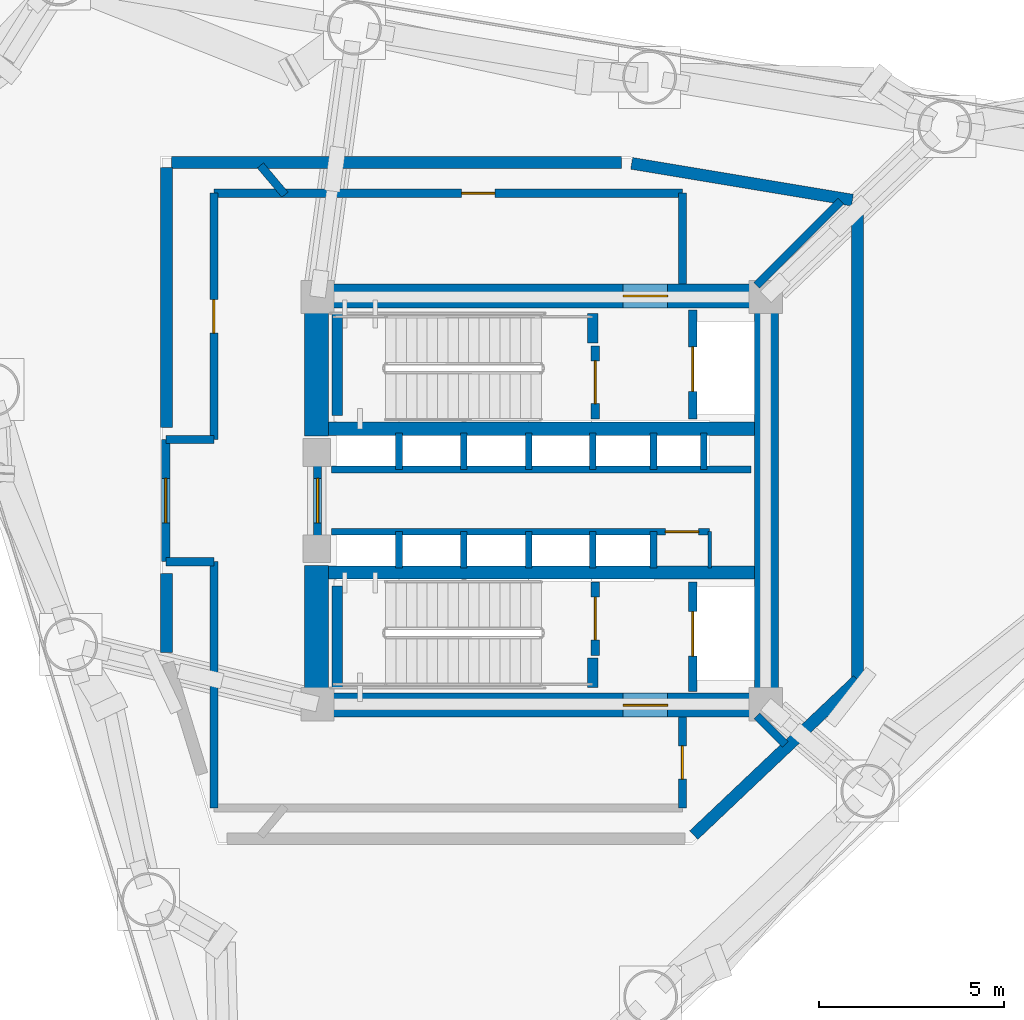
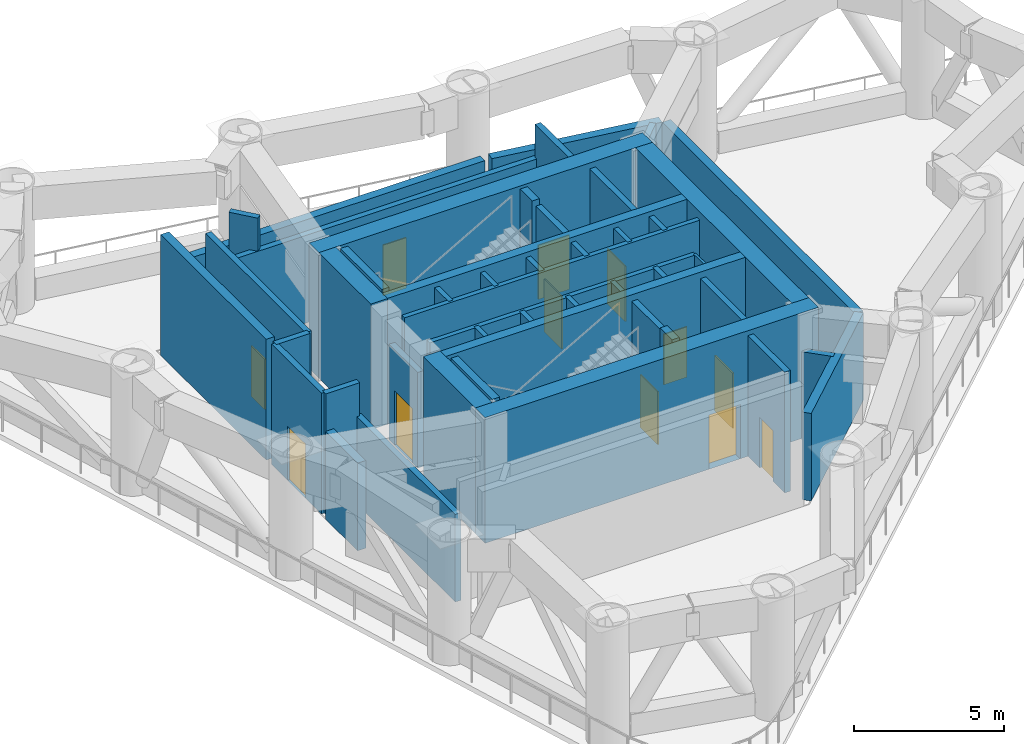
# One storey, part 4 of 8: 47 walls, 12 doors, 12 openings.
"""IFC4 building model written with IfcOpenShell, lengths in metres."""

from ifc_helpers import new_model, si_unit, direction, frame, frame_2d, origin, place, context, subcontext, project, spatial, rectangle, extrude, material, layer, layer_set, type_object, element, fill, save


model = new_model("IFC4")

# Units and contexts
model_context = context("Model", 3, precision=1e-05, world=origin(), true_north=direction((0.0, 1.0)))
body_context = subcontext(model_context, "Body", "Model", "MODEL_VIEW")
ifc_project = project(units=[si_unit("LENGTHUNIT", "METRE"), si_unit("AREAUNIT", "SQUARE_METRE"), si_unit("VOLUMEUNIT", "CUBIC_METRE"), si_unit("PLANEANGLEUNIT", "RADIAN"), si_unit("MASSUNIT", "GRAM", prefix="KILO")], contexts=[model_context])

# Site, building, storey
site_placement = place(None, origin())
site = spatial("IfcSite", under=ifc_project, at=site_placement, CompositionType="ELEMENT")
building_placement = place(site_placement, origin())
building = spatial("IfcBuilding", under=site, at=building_placement, Name="Yunling Apex Tower", CompositionType="ELEMENT")
storey_placement = place(building_placement, frame((0.0, 0.0, 119.89990234375)))
storey = spatial("IfcBuildingStorey", under=building, at=storey_placement, Name="RF3", CompositionType="ELEMENT", Elevation=119.89990234375)

# Wall, opening, door
ifc_material_1 = material(Name="Concrete C50", Category="concrete")
ifc_layer_1 = layer(ifc_material_1, 0.64990234375)
ifc_layer_set_1 = layer_set([ifc_layer_1], Name="Concrete C50")
wall_type_1 = type_object("IfcWallType", Name="WL-COR-2", PredefinedType="SHEAR", material=ifc_layer_set_1)
wall_1_placement = place(storey_placement, frame((-6.39990234375, 5.52490234375, 0.0), z_axis=(0.0, 0.0, 1.0), x_axis=(1.0, 0.0, 0.0)))
wall_1 = element("IfcWall", 1, at=wall_1_placement, inside=storey, type_object=wall_type_1, Name="RF3 North Core Shear Wall", PredefinedType="SHEAR", context=body_context, shape_type="SweptSolid", body=[
    extrude(rectangle(XDim=12.7998046875, YDim=0.64990234375, at=frame_2d((6.39990234375, 0.0))), origin(), (0.0, 0.0, 1.0), 5.10009765625),
])
opening_1_placement = place(wall_1_placement, frame((8.60009765625, 0.0, 0.0)))
opening_1 = element("IfcOpeningElement", 2, at=opening_1_placement, cuts=wall_1, Name="Opening DR-FFL-1", PredefinedType="OPENING", context=body_context, shape_type="SweptSolid", body=[
    extrude(rectangle(XDim=1.199951171875, YDim=2.199951171875, at=frame_2d((0.60009765625, 1.10009765625))), frame((0.0, 0.3349609375, 0.0), z_axis=(0.0, -1.0, 0.0), x_axis=(1.0, 0.0, 0.0)), (0.0, 0.0, 1.0), 0.669921875),
])
ifc_material_2 = material(Name="Steel Q355B", Category="steel")
door_type_1 = type_object("IfcDoorType", Name="DR-FFL-1", OperationType="NOTDEFINED", PredefinedType="DOOR", material=ifc_material_2)
door_1_placement = place(opening_1_placement, origin())
door_1 = element("IfcDoor", 3, at=door_1_placement, inside=storey, type_object=door_type_1, Name="RF3 North Firefighting Lobby Door", OperationType="SINGLE_SWING_LEFT", OverallHeight=2.199951171875, OverallWidth=1.199951171875, PredefinedType="DOOR", context=body_context, shape_type="SweptSolid", body=[
    extrude(rectangle(XDim=1.199951171875, YDim=2.199951171875, at=frame_2d((0.60009765625, 1.10009765625))), frame((0.0, 0.02490234375, 0.0), z_axis=(0.0, -1.0, 0.0), x_axis=(1.0, 0.0, 0.0)), (0.0, 0.0, 1.0), 0.050048828125),
])
fill(opening_1, door_1)

wall_2_placement = place(storey_placement, frame((-6.39990234375, -5.52490234375, 0.0), z_axis=(0.0, 0.0, 1.0), x_axis=(1.0, 0.0, 0.0)))
wall_2 = element("IfcWall", 4, at=wall_2_placement, inside=storey, type_object=wall_type_1, Name="RF3 South Core Shear Wall", PredefinedType="SHEAR", context=body_context, shape_type="SweptSolid", body=[
    extrude(rectangle(XDim=12.7998046875, YDim=0.64990234375, at=frame_2d((6.39990234375, 0.0))), origin(), (0.0, 0.0, 1.0), 5.10009765625),
])
opening_2_placement = place(wall_2_placement, frame((8.60009765625, 0.0, 0.0)))
opening_2 = element("IfcOpeningElement", 5, at=opening_2_placement, cuts=wall_2, Name="Opening DR-FFL-1", PredefinedType="OPENING", context=body_context, shape_type="SweptSolid", body=[
    extrude(rectangle(XDim=1.199951171875, YDim=2.199951171875, at=frame_2d((0.60009765625, 1.10009765625))), frame((0.0, 0.3349609375, 0.0), z_axis=(0.0, -1.0, 0.0), x_axis=(1.0, 0.0, 0.0)), (0.0, 0.0, 1.0), 0.669921875),
])
door_2_placement = place(opening_2_placement, origin())
door_2 = element("IfcDoor", 6, at=door_2_placement, inside=storey, type_object=door_type_1, Name="RF3 South Firefighting Lobby Door", OperationType="SINGLE_SWING_RIGHT", OverallHeight=2.199951171875, OverallWidth=1.199951171875, PredefinedType="DOOR", context=body_context, shape_type="SweptSolid", body=[
    extrude(rectangle(XDim=1.199951171875, YDim=2.199951171875, at=frame_2d((0.60009765625, 1.10009765625))), frame((0.0, 0.02490234375, 0.0), z_axis=(0.0, -1.0, 0.0), x_axis=(1.0, 0.0, 0.0)), (0.0, 0.0, 1.0), 0.050048828125),
])
fill(opening_2, door_2)

# Walls
wall_3_placement = place(storey_placement, frame((6.074951171875, -5.199951171875, 0.0), z_axis=(0.0, 0.0, 1.0), x_axis=(0.0, 1.0, 0.0)))
element("IfcWall", 7, at=wall_3_placement, inside=storey, type_object=wall_type_1, Name="RF3 East Core Shear Wall", PredefinedType="SHEAR", context=body_context, shape_type="SweptSolid", body=[
    extrude(rectangle(XDim=10.39990234375, YDim=0.64990234375, at=frame_2d((5.199951171875, 0.0))), origin(), (0.0, 0.0, 1.0), 5.10009765625),
])
for number, where, z_axis, x_axis, name in (
    (8, (-6.074951171875, -5.199951171875, 0.0), (0.0, 0.0, 1.0), (0.0, 1.0, 0.0), "RF3 West-South Core Shear Wall"),
    (9, (-6.074951171875, 1.75, 0.0), (0.0, 0.0, 1.0), (0.0, 1.0, 0.0), "RF3 West-North Core Shear Wall"),
):
    element("IfcWall", number, at=place(storey_placement, frame(where, z_axis=z_axis, x_axis=x_axis)), inside=storey, type_object=wall_type_1, Name=name, PredefinedType="SHEAR", context=body_context, shape_type="SweptSolid", body=[
        extrude(rectangle(XDim=3.449951171875, YDim=0.64990234375, at=frame_2d((1.72509765625, 0.0))), origin(), (0.0, 0.0, 1.0), 5.10009765625),
    ])
ifc_material_3 = material(Name="Concrete C40", Category="concrete")
ifc_layer_2 = layer(ifc_material_3, 0.360107421875)
ifc_layer_set_2 = layer_set([ifc_layer_2], Name="Concrete C40")
wall_type_2 = type_object("IfcWallType", Name="WL-COR-4", PredefinedType="SHEAR", material=ifc_layer_set_2)
for number, where, z_axis, x_axis, name in (
    (10, (-5.75, 1.93994140625, 0.0), (0.0, 0.0, 1.0), (1.0, 0.0, 0.0), "RF3 North Internal Core Shear Wall"),
    (11, (-5.75, -1.93994140625, 0.0), (0.0, 0.0, 1.0), (1.0, 0.0, 0.0), "RF3 South Internal Core Shear Wall"),
):
    element("IfcWall", number, at=place(storey_placement, frame(where, z_axis=z_axis, x_axis=x_axis)), inside=storey, type_object=wall_type_2, Name=name, PredefinedType="SHEAR", context=body_context, shape_type="SweptSolid", body=[
        extrude(rectangle(XDim=11.5, YDim=0.360107421875, at=frame_2d((5.75, 0.0))), origin(), (0.0, 0.0, 1.0), 5.10009765625),
    ])
ifc_layer_3 = layer(ifc_material_3, 0.280029296875)
ifc_layer_set_3 = layer_set([ifc_layer_3], Name="Concrete C40")
wall_type_3 = type_object("IfcWallType", Name="WL-COR-8", PredefinedType="SHEAR", material=ifc_layer_set_3)
wall_4_placement = place(storey_placement, frame((-5.52001953125, 2.300048828125, 0.0), z_axis=(0.0, 0.0, 1.0), x_axis=(0.0, 1.0, 0.0)))
element("IfcWall", 12, at=wall_4_placement, inside=storey, type_object=wall_type_3, Name="RF3 ST-1 West Landing Bearing Wall", PredefinedType="SHEAR", context=body_context, shape_type="SweptSolid", body=[
    extrude(rectangle(XDim=2.75, YDim=0.280029296875, at=frame_2d((1.375, 0.0))), origin(), (0.0, 0.0, 1.0), 5.10009765625),
])
wall_5_placement = place(storey_placement, frame((1.3798828125, 4.25, 0.0), z_axis=(0.0, 0.0, 1.0), x_axis=(0.0, 1.0, 0.0)))
element("IfcWall", 13, at=wall_5_placement, inside=storey, type_object=wall_type_3, Name="RF3 ST-1 East Landing Bearing Pier", PredefinedType="SHEAR", context=body_context, shape_type="SweptSolid", body=[
    extrude(rectangle(XDim=0.800048828125, YDim=0.280029296875, at=frame_2d((0.39990234375, 0.0))), origin(), (0.0, 0.0, 1.0), 5.10009765625),
])
wall_6_placement = place(storey_placement, frame((-5.52001953125, -5.050048828125, 0.0), z_axis=(0.0, 0.0, 1.0), x_axis=(0.0, 1.0, 0.0)))
element("IfcWall", 14, at=wall_6_placement, inside=storey, type_object=wall_type_3, Name="RF3 ST-2 West Landing Bearing Wall", PredefinedType="SHEAR", context=body_context, shape_type="SweptSolid", body=[
    extrude(rectangle(XDim=2.75, YDim=0.280029296875, at=frame_2d((1.375, 0.0))), origin(), (0.0, 0.0, 1.0), 5.10009765625),
])
wall_7_placement = place(storey_placement, frame((1.3798828125, -5.050048828125, 0.0), z_axis=(0.0, 0.0, 1.0), x_axis=(0.0, 1.0, 0.0)))
element("IfcWall", 15, at=wall_7_placement, inside=storey, type_object=wall_type_3, Name="RF3 ST-2 East Landing Bearing Pier", PredefinedType="SHEAR", context=body_context, shape_type="SweptSolid", body=[
    extrude(rectangle(XDim=0.800048828125, YDim=0.280029296875, at=frame_2d((0.39990234375, 0.0))), origin(), (0.0, 0.0, 1.0), 5.10009765625),
])
ifc_material_4 = material(Name="Precast concrete C40", Category="concrete")
ifc_layer_4 = layer(ifc_material_4, 0.320068359375)
ifc_layer_set_4 = layer_set([ifc_layer_4], Name="Precast concrete C40")
wall_type_4 = type_object("IfcWallType", Name="WL-EXT-1", PredefinedType="SOLIDWALL", material=ifc_layer_set_4)
wall_8_placement = place(storey_placement, frame((8.530029296875, -4.84326171875, 0.0), z_axis=(0.0, 0.0, 1.0), x_axis=(-0.725866328242, -0.687835789651, 0.0)))
element("IfcWall", 16, at=wall_8_placement, inside=storey, type_object=wall_type_4, Name="WL-RF3-IR-01", PredefinedType="SOLIDWALL", context=body_context, shape_type="SweptSolid", body=[
    extrude(rectangle(XDim=6.09228515625, YDim=0.320068359375, at=frame_2d((3.046142578125, 0.0))), origin(), (0.0, 0.0, 1.0), 3.55517578125),
])
wall_9_placement = place(storey_placement, frame((-10.1298828125, -4.1044921875, 0.0), z_axis=(0.0, 0.0, 1.0), x_axis=(0.0, 1.0, 0.0)))
element("IfcWall", 17, at=wall_9_placement, inside=storey, type_object=wall_type_4, Name="WL-RF3-IR-04", PredefinedType="SOLIDWALL", context=body_context, shape_type="SweptSolid", body=[
    extrude(rectangle(XDim=2.134521484375, YDim=0.320068359375, at=frame_2d((1.0673828125, 0.0))), origin(), (0.0, 0.0, 1.0), 3.55517578125),
])
wall_10_placement = place(storey_placement, frame((-10.1298828125, 1.969970703125, 0.0), z_axis=(0.0, 0.0, 1.0), x_axis=(0.0, 1.0, 0.0)))
element("IfcWall", 18, at=wall_10_placement, inside=storey, type_object=wall_type_4, Name="WL-RF3-IR-05", PredefinedType="SOLIDWALL", context=body_context, shape_type="SweptSolid", body=[
    extrude(rectangle(XDim=7.02001953125, YDim=0.320068359375, at=frame_2d((3.510009765625, 0.0))), origin(), (0.0, 0.0, 1.0), 4.900146484375),
])
wall_11_placement = place(storey_placement, frame((-9.989990234375, 9.1298828125, 0.0), z_axis=(0.0, 0.0, 1.0), x_axis=(1.0, 0.0, 0.0)))
element("IfcWall", 19, at=wall_11_placement, inside=storey, type_object=wall_type_4, Name="WL-RF3-IR-06", PredefinedType="SOLIDWALL", context=body_context, shape_type="SweptSolid", body=[
    extrude(rectangle(XDim=12.1435546875, YDim=0.320068359375, at=frame_2d((6.07177734375, 0.0))), origin(), (0.0, 0.0, 1.0), 3.55517578125),
])
wall_12_placement = place(storey_placement, frame((2.431640625, 9.10693359375, 0.0), z_axis=(0.0, 0.0, 1.0), x_axis=(0.98639938338, -0.164366226666, 0.0)))
element("IfcWall", 20, at=wall_12_placement, inside=storey, type_object=wall_type_4, Name="WL-RF3-IR-07", PredefinedType="SOLIDWALL", context=body_context, shape_type="SweptSolid", body=[
    extrude(rectangle(XDim=6.04248046875, YDim=0.320068359375, at=frame_2d((3.021240234375, 0.0))), origin(), (0.0, 0.0, 1.0), 3.55517578125),
])
wall_13_placement = place(storey_placement, frame((8.530029296875, 7.95068359375, 0.0), z_axis=(0.0, 0.0, 1.0), x_axis=(0.0, -1.0, 0.0)))
element("IfcWall", 21, at=wall_13_placement, inside=storey, type_object=wall_type_4, Name="WL-RF3-IR-08", PredefinedType="SOLIDWALL", context=body_context, shape_type="SweptSolid", body=[
    extrude(rectangle(XDim=12.7939453125, YDim=0.320068359375, at=frame_2d((6.39697265625, 0.0))), origin(), (0.0, 0.0, 1.0), 3.55517578125),
])
ifc_material_5 = material(Name="Gypsum board acoustic partition")
ifc_layer_5 = layer(ifc_material_5, 0.10009765625)
ifc_layer_set_5 = layer_set([ifc_layer_5], Name="Gypsum board acoustic partition")
wall_type_5 = type_object("IfcWallType", Name="WL-PRT-4", PredefinedType="PARTITIONING", material=ifc_layer_set_5)
wall_14_placement = place(storey_placement, frame((4.5400390625, -1.820068359375, 0.0), z_axis=(0.0, 0.0, 1.0), x_axis=(0.0, 1.0, 0.0)))
element("IfcWall", 22, at=wall_14_placement, inside=storey, type_object=wall_type_5, Name="WL-KASE-E-RF3", PredefinedType="PARTITIONING", context=body_context, shape_type="SweptSolid", body=[
    extrude(rectangle(XDim=0.97998046875, YDim=0.10009765625, at=frame_2d((0.489990234375, 0.0))), origin(), (0.0, 0.0, 1.0), 4.900146484375),
])

# Wall, opening, door
ifc_material_6 = material(Name="Autoclaved aerated concrete masonry", Category="masonry")
ifc_layer_6 = layer(ifc_material_6, 0.219970703125)
ifc_layer_set_6 = layer_set([ifc_layer_6], Name="Autoclaved aerated concrete masonry")
wall_type_6 = type_object("IfcWallType", Name="WL-SHF-1", PredefinedType="PLUMBINGWALL", material=ifc_layer_set_6)
wall_15_placement = place(storey_placement, frame((-6.050048828125, -0.949951171875, 0.0), z_axis=(0.0, 0.0, 1.0), x_axis=(0.0, 1.0, 0.0)))
wall_15 = element("IfcWall", 23, at=wall_15_placement, inside=storey, type_object=wall_type_6, Name="WL-COR-WPORT-RF3", PredefinedType="PLUMBINGWALL", context=body_context, shape_type="SweptSolid", body=[
    extrude(rectangle(XDim=1.89990234375, YDim=0.219970703125, at=frame_2d((0.949951171875, 0.0))), origin(), (0.0, 0.0, 1.0), 3.880126953125),
])
opening_3_placement = place(wall_15_placement, frame((0.35009765625, 0.0, 0.0)))
opening_3 = element("IfcOpeningElement", 24, at=opening_3_placement, cuts=wall_15, Name="Opening DR-FFL-1", PredefinedType="OPENING", context=body_context, shape_type="SweptSolid", body=[
    extrude(rectangle(XDim=1.199951171875, YDim=2.199951171875, at=frame_2d((0.60009765625, 1.10009765625))), frame((0.0, 0.1201171875, 0.0), z_axis=(0.0, -1.0, 0.0), x_axis=(1.0, 0.0, 0.0)), (0.0, 0.0, 1.0), 0.239990234375),
])
door_3_placement = place(opening_3_placement, origin())
door_3 = element("IfcDoor", 25, at=door_3_placement, inside=storey, type_object=door_type_1, Name="RF3 Passenger Lift Lobby Entrance Door", OperationType="SINGLE_SWING_RIGHT", OverallHeight=2.199951171875, OverallWidth=1.199951171875, PredefinedType="DOOR", context=body_context, shape_type="SweptSolid", body=[
    extrude(rectangle(XDim=1.199951171875, YDim=2.199951171875, at=frame_2d((0.60009765625, 1.10009765625))), frame((0.0, 0.02490234375, 0.0), z_axis=(0.0, -1.0, 0.0), x_axis=(1.0, 0.0, 0.0)), (0.0, 0.0, 1.0), 0.050048828125),
])
fill(opening_3, door_3)

wall_16_placement = place(storey_placement, frame((1.449951171875, 2.199951171875, 0.0), z_axis=(0.0, 0.0, 1.0), x_axis=(0.0, 1.0, 0.0)))
wall_16 = element("IfcWall", 26, at=wall_16_placement, inside=storey, type_object=wall_type_6, Name="WL-ST1-E-RF3", PredefinedType="PLUMBINGWALL", context=body_context, shape_type="SweptSolid", body=[
    extrude(rectangle(XDim=1.97998046875, YDim=0.219970703125, at=frame_2d((0.989990234375, 0.0))), origin(), (0.0, 0.0, 1.0), 4.900146484375),
])
opening_4_placement = place(wall_16_placement, frame((0.419921875, 0.0, 0.0)))
opening_4 = element("IfcOpeningElement", 27, at=opening_4_placement, cuts=wall_16, Name="Opening DR-ST-1", PredefinedType="OPENING", context=body_context, shape_type="SweptSolid", body=[
    extrude(rectangle(XDim=1.14990234375, YDim=2.14990234375, at=frame_2d((0.574951171875, 1.074951171875))), frame((0.0, 0.1201171875, 0.0), z_axis=(0.0, -1.0, 0.0), x_axis=(1.0, 0.0, 0.0)), (0.0, 0.0, 1.0), 0.239990234375),
])
door_type_2 = type_object("IfcDoorType", Name="DR-ST-1", OperationType="NOTDEFINED", PredefinedType="DOOR", material=ifc_material_2)
door_4_placement = place(opening_4_placement, origin())
door_4 = element("IfcDoor", 28, at=door_4_placement, inside=storey, type_object=door_type_2, Name="RF3 Stair ST-1 Fire Door", OperationType="SINGLE_SWING_RIGHT", OverallHeight=2.14990234375, OverallWidth=1.14990234375, PredefinedType="DOOR", context=body_context, shape_type="SweptSolid", body=[
    extrude(rectangle(XDim=1.14990234375, YDim=2.14990234375, at=frame_2d((0.574951171875, 1.074951171875))), frame((0.0, 0.02490234375, 0.0), z_axis=(0.0, -1.0, 0.0), x_axis=(1.0, 0.0, 0.0)), (0.0, 0.0, 1.0), 0.050048828125),
])
fill(opening_4, door_4)

wall_17_placement = place(storey_placement, frame((4.080078125, 2.199951171875, 0.0), z_axis=(0.0, 0.0, 1.0), x_axis=(0.0, 1.0, 0.0)))
wall_17 = element("IfcWall", 29, at=wall_17_placement, inside=storey, type_object=wall_type_6, Name="WL-FFL1-W-RF3", PredefinedType="PLUMBINGWALL", context=body_context, shape_type="SweptSolid", body=[
    extrude(rectangle(XDim=2.949951171875, YDim=0.219970703125, at=frame_2d((1.47509765625, 0.0))), origin(), (0.0, 0.0, 1.0), 4.900146484375),
])
opening_5_placement = place(wall_17_placement, frame((0.75, 0.0, 0.0)))
opening_5 = element("IfcOpeningElement", 30, at=opening_5_placement, cuts=wall_17, Name="Opening LD-FFL-1", PredefinedType="OPENING", context=body_context, shape_type="SweptSolid", body=[
    extrude(rectangle(XDim=1.199951171875, YDim=2.25, at=frame_2d((0.60009765625, 1.125))), frame((0.0, 0.1201171875, 0.0), z_axis=(0.0, -1.0, 0.0), x_axis=(1.0, 0.0, 0.0)), (0.0, 0.0, 1.0), 0.239990234375),
])
door_type_3 = type_object("IfcDoorType", Name="LD-FFL-1", OperationType="DOUBLE_DOOR_SLIDING", PredefinedType="DOOR", material=ifc_material_2)
door_5_placement = place(opening_5_placement, origin())
door_5 = element("IfcDoor", 31, at=door_5_placement, inside=storey, type_object=door_type_3, Name="RF3 Lift FFL-1 Landing Door", OperationType="DOUBLE_DOOR_SLIDING", OverallHeight=2.25, OverallWidth=1.199951171875, PredefinedType="DOOR", context=body_context, shape_type="SweptSolid", body=[
    extrude(rectangle(XDim=1.199951171875, YDim=2.25, at=frame_2d((0.60009765625, 1.125))), frame((0.0, 0.02490234375, 0.0), z_axis=(0.0, -1.0, 0.0), x_axis=(1.0, 0.0, 0.0)), (0.0, 0.0, 1.0), 0.050048828125),
])
fill(opening_5, door_5)

wall_18_placement = place(storey_placement, frame((1.449951171875, -4.179931640625, 0.0), z_axis=(0.0, 0.0, 1.0), x_axis=(0.0, 1.0, 0.0)))
wall_18 = element("IfcWall", 32, at=wall_18_placement, inside=storey, type_object=wall_type_6, Name="WL-ST2-E-RF3", PredefinedType="PLUMBINGWALL", context=body_context, shape_type="SweptSolid", body=[
    extrude(rectangle(XDim=1.97998046875, YDim=0.219970703125, at=frame_2d((0.989990234375, 0.0))), origin(), (0.0, 0.0, 1.0), 4.900146484375),
])
opening_6_placement = place(wall_18_placement, frame((0.419921875, 0.0, 0.0)))
opening_6 = element("IfcOpeningElement", 33, at=opening_6_placement, cuts=wall_18, Name="Opening DR-ST-1", PredefinedType="OPENING", context=body_context, shape_type="SweptSolid", body=[
    extrude(rectangle(XDim=1.14990234375, YDim=2.14990234375, at=frame_2d((0.574951171875, 1.074951171875))), frame((0.0, 0.1201171875, 0.0), z_axis=(0.0, -1.0, 0.0), x_axis=(1.0, 0.0, 0.0)), (0.0, 0.0, 1.0), 0.239990234375),
])
door_6_placement = place(opening_6_placement, origin())
door_6 = element("IfcDoor", 34, at=door_6_placement, inside=storey, type_object=door_type_2, Name="RF3 Stair ST-2 Fire Door", OperationType="SINGLE_SWING_LEFT", OverallHeight=2.14990234375, OverallWidth=1.14990234375, PredefinedType="DOOR", context=body_context, shape_type="SweptSolid", body=[
    extrude(rectangle(XDim=1.14990234375, YDim=2.14990234375, at=frame_2d((0.574951171875, 1.074951171875))), frame((0.0, 0.02490234375, 0.0), z_axis=(0.0, -1.0, 0.0), x_axis=(1.0, 0.0, 0.0)), (0.0, 0.0, 1.0), 0.050048828125),
])
fill(opening_6, door_6)

wall_19_placement = place(storey_placement, frame((4.080078125, -5.14990234375, 0.0), z_axis=(0.0, 0.0, 1.0), x_axis=(0.0, 1.0, 0.0)))
wall_19 = element("IfcWall", 35, at=wall_19_placement, inside=storey, type_object=wall_type_6, Name="WL-FFL2-W-RF3", PredefinedType="PLUMBINGWALL", context=body_context, shape_type="SweptSolid", body=[
    extrude(rectangle(XDim=2.949951171875, YDim=0.219970703125, at=frame_2d((1.47509765625, 0.0))), origin(), (0.0, 0.0, 1.0), 4.900146484375),
])
opening_7_placement = place(wall_19_placement, frame((0.949951171875, 0.0, 0.0)))
opening_7 = element("IfcOpeningElement", 36, at=opening_7_placement, cuts=wall_19, Name="Opening LD-FFL-1", PredefinedType="OPENING", context=body_context, shape_type="SweptSolid", body=[
    extrude(rectangle(XDim=1.199951171875, YDim=2.25, at=frame_2d((0.60009765625, 1.125))), frame((0.0, 0.1201171875, 0.0), z_axis=(0.0, -1.0, 0.0), x_axis=(1.0, 0.0, 0.0)), (0.0, 0.0, 1.0), 0.239990234375),
])
door_7_placement = place(opening_7_placement, origin())
door_7 = element("IfcDoor", 37, at=door_7_placement, inside=storey, type_object=door_type_3, Name="RF3 Lift FFL-2 Landing Door", OperationType="DOUBLE_DOOR_SLIDING", OverallHeight=2.25, OverallWidth=1.199951171875, PredefinedType="DOOR", context=body_context, shape_type="SweptSolid", body=[
    extrude(rectangle(XDim=1.199951171875, YDim=2.25, at=frame_2d((0.60009765625, 1.125))), frame((0.0, 0.02490234375, 0.0), z_axis=(0.0, -1.0, 0.0), x_axis=(1.0, 0.0, 0.0)), (0.0, 0.0, 1.0), 0.050048828125),
])
fill(opening_7, door_7)

# Walls
wall_20_placement = place(storey_placement, frame((5.81005859375, 5.81005859375, 0.0), z_axis=(0.0, 0.0, 1.0), x_axis=(0.707106781187, 0.707106781187, 0.0)))
element("IfcWall", 38, at=wall_20_placement, inside=storey, type_object=wall_type_6, Name="WL-RF3-PDIV-45", PredefinedType="PLUMBINGWALL", context=body_context, shape_type="SweptSolid", body=[
    extrude(rectangle(XDim=3.2158203125, YDim=0.219970703125, at=frame_2d((1.60791015625, 0.0))), origin(), (0.0, 0.0, 1.0), 3.55517578125),
])
wall_21_placement = place(storey_placement, frame((-6.930908203125, 8.260009765625, 0.0), z_axis=(0.0, 0.0, 1.0), x_axis=(-0.642881168458, 0.765965928251, 0.0)))
element("IfcWall", 39, at=wall_21_placement, inside=storey, type_object=wall_type_6, Name="WL-RF3-PDIV-130", PredefinedType="PLUMBINGWALL", context=body_context, shape_type="SweptSolid", body=[
    extrude(rectangle(XDim=1.031494140625, YDim=0.219970703125, at=frame_2d((0.515625, 0.0))), origin(), (0.0, 0.0, 1.0), 4.900146484375),
])
wall_22_placement = place(storey_placement, frame((5.81005859375, -5.81005859375, 0.0), z_axis=(0.0, 0.0, 1.0), x_axis=(0.707106781187, -0.707106781187, 0.0)))
element("IfcWall", 40, at=wall_22_placement, inside=storey, type_object=wall_type_6, Name="WL-RF3-PDIV-315", PredefinedType="PLUMBINGWALL", context=body_context, shape_type="SweptSolid", body=[
    extrude(rectangle(XDim=1.08935546875, YDim=0.219970703125, at=frame_2d((0.544677734375, 0.0))), origin(), (0.0, 0.0, 1.0), 3.55517578125),
])

# Wall, opening, door
wall_23_placement = place(storey_placement, frame((3.800048828125, -5.85009765625, 0.0), z_axis=(0.0, 0.0, 1.0), x_axis=(0.0, -1.0, 0.0)))
wall_23 = element("IfcWall", 41, at=wall_23_placement, inside=storey, type_object=wall_type_6, Name="WL-RF3-PCR-01", PredefinedType="PLUMBINGWALL", context=body_context, shape_type="SweptSolid", body=[
    extrude(rectangle(XDim=2.449951171875, YDim=0.219970703125, at=frame_2d((1.22509765625, 0.0))), origin(), (0.0, 0.0, 1.0), 4.900146484375),
])
opening_8_placement = place(wall_23_placement, frame((0.77490234375, 0.0, 0.0)))
opening_8 = element("IfcOpeningElement", 42, at=opening_8_placement, cuts=wall_23, Name="Opening DR-SHF-1", PredefinedType="OPENING", context=body_context, shape_type="SweptSolid", body=[
    extrude(rectangle(XDim=0.89990234375, YDim=2.050048828125, at=frame_2d((0.449951171875, 1.02490234375))), frame((0.0, 0.1201171875, 0.0), z_axis=(0.0, -1.0, 0.0), x_axis=(1.0, 0.0, 0.0)), (0.0, 0.0, 1.0), 0.239990234375),
])
door_type_4 = type_object("IfcDoorType", Name="DR-SHF-1", OperationType="NOTDEFINED", PredefinedType="DOOR", material=ifc_material_2)
door_8_placement = place(opening_8_placement, origin())
door_8 = element("IfcDoor", 43, at=door_8_placement, inside=storey, type_object=door_type_4, Name="RF3 Plate Heat-Exchanger and Chiller Plant Room Door", OperationType="SINGLE_SWING_LEFT", OverallHeight=2.050048828125, OverallWidth=0.89990234375, PredefinedType="DOOR", context=body_context, shape_type="SweptSolid", body=[
    extrude(rectangle(XDim=0.89990234375, YDim=2.050048828125, at=frame_2d((0.449951171875, 1.02490234375))), frame((0.0, 0.02490234375, 0.0), z_axis=(0.0, -1.0, 0.0), x_axis=(1.0, 0.0, 0.0)), (0.0, 0.0, 1.0), 0.050048828125),
])
fill(opening_8, door_8)

# Walls
wall_24_placement = place(storey_placement, frame((-8.85009765625, -8.300048828125, 0.0), z_axis=(0.0, 0.0, 1.0), x_axis=(0.0, 1.0, 0.0)))
element("IfcWall", 44, at=wall_24_placement, inside=storey, type_object=wall_type_6, Name="WL-RF3-PCR-03", PredefinedType="PLUMBINGWALL", context=body_context, shape_type="SweptSolid", body=[
    extrude(rectangle(XDim=6.650146484375, YDim=0.219970703125, at=frame_2d((3.3251953125, 0.0))), origin(), (0.0, 0.0, 1.0), 3.55517578125),
])
wall_25_placement = place(storey_placement, frame((-8.85009765625, -1.64990234375, 0.0), z_axis=(0.0, 0.0, 1.0), x_axis=(-1.0, 0.0, 0.0)))
element("IfcWall", 45, at=wall_25_placement, inside=storey, type_object=wall_type_6, Name="WL-RF3-PCR-04", PredefinedType="PLUMBINGWALL", context=body_context, shape_type="SweptSolid", body=[
    extrude(rectangle(XDim=1.2998046875, YDim=0.219970703125, at=frame_2d((0.64990234375, 0.0))), origin(), (0.0, 0.0, 1.0), 4.900146484375),
])

# Wall, opening, door
wall_26_placement = place(storey_placement, frame((-10.14990234375, -1.64990234375, 0.0), z_axis=(0.0, 0.0, 1.0), x_axis=(0.0, 1.0, 0.0)))
wall_26 = element("IfcWall", 46, at=wall_26_placement, inside=storey, type_object=wall_type_6, Name="WL-RF3-PCR-05", PredefinedType="PLUMBINGWALL", context=body_context, shape_type="SweptSolid", body=[
    extrude(rectangle(XDim=3.2998046875, YDim=0.219970703125, at=frame_2d((1.64990234375, 0.0))), origin(), (0.0, 0.0, 1.0), 4.900146484375),
])
opening_9_placement = place(wall_26_placement, frame((1.050048828125, 0.0, 0.0)))
opening_9 = element("IfcOpeningElement", 47, at=opening_9_placement, cuts=wall_26, Name="Opening DR-FFL-1", PredefinedType="OPENING", context=body_context, shape_type="SweptSolid", body=[
    extrude(rectangle(XDim=1.199951171875, YDim=2.199951171875, at=frame_2d((0.60009765625, 1.10009765625))), frame((0.0, 0.1201171875, 0.0), z_axis=(0.0, -1.0, 0.0), x_axis=(1.0, 0.0, 0.0)), (0.0, 0.0, 1.0), 0.239990234375),
])
door_9_placement = place(opening_9_placement, origin())
door_9 = element("IfcDoor", 48, at=door_9_placement, inside=storey, type_object=door_type_1, Name="RF3 West Refuge Terrace Exit Door", OperationType="SINGLE_SWING_RIGHT", OverallHeight=2.199951171875, OverallWidth=1.199951171875, PredefinedType="DOOR", context=body_context, shape_type="SweptSolid", body=[
    extrude(rectangle(XDim=1.199951171875, YDim=2.199951171875, at=frame_2d((0.60009765625, 1.10009765625))), frame((0.0, 0.02490234375, 0.0), z_axis=(0.0, -1.0, 0.0), x_axis=(1.0, 0.0, 0.0)), (0.0, 0.0, 1.0), 0.050048828125),
])
fill(opening_9, door_9)

# Wall
wall_27_placement = place(storey_placement, frame((-10.14990234375, 1.64990234375, 0.0), z_axis=(0.0, 0.0, 1.0), x_axis=(1.0, 0.0, 0.0)))
element("IfcWall", 49, at=wall_27_placement, inside=storey, type_object=wall_type_6, Name="WL-RF3-PCR-06", PredefinedType="PLUMBINGWALL", context=body_context, shape_type="SweptSolid", body=[
    extrude(rectangle(XDim=1.2998046875, YDim=0.219970703125, at=frame_2d((0.64990234375, 0.0))), origin(), (0.0, 0.0, 1.0), 4.900146484375),
])

# Wall, opening, door
wall_28_placement = place(storey_placement, frame((-8.85009765625, 1.64990234375, 0.0), z_axis=(0.0, 0.0, 1.0), x_axis=(0.0, 1.0, 0.0)))
wall_28 = element("IfcWall", 50, at=wall_28_placement, inside=storey, type_object=wall_type_6, Name="WL-RF3-PCR-07", PredefinedType="PLUMBINGWALL", context=body_context, shape_type="SweptSolid", body=[
    extrude(rectangle(XDim=6.650146484375, YDim=0.219970703125, at=frame_2d((3.3251953125, 0.0))), origin(), (0.0, 0.0, 1.0), 4.900146484375),
])
opening_10_placement = place(wall_28_placement, frame((2.875, 0.0, 0.0)))
opening_10 = element("IfcOpeningElement", 51, at=opening_10_placement, cuts=wall_28, Name="Opening DR-SHF-1", PredefinedType="OPENING", context=body_context, shape_type="SweptSolid", body=[
    extrude(rectangle(XDim=0.89990234375, YDim=2.050048828125, at=frame_2d((0.449951171875, 1.02490234375))), frame((0.0, 0.1201171875, 0.0), z_axis=(0.0, -1.0, 0.0), x_axis=(1.0, 0.0, 0.0)), (0.0, 0.0, 1.0), 0.239990234375),
])
door_10_placement = place(opening_10_placement, origin())
door_10 = element("IfcDoor", 52, at=door_10_placement, inside=storey, type_object=door_type_4, Name="RF3 Intermediate Electrical Substation Plant Room Door", OperationType="SINGLE_SWING_LEFT", OverallHeight=2.050048828125, OverallWidth=0.89990234375, PredefinedType="DOOR", context=body_context, shape_type="SweptSolid", body=[
    extrude(rectangle(XDim=0.89990234375, YDim=2.050048828125, at=frame_2d((0.449951171875, 1.02490234375))), frame((0.0, 0.02490234375, 0.0), z_axis=(0.0, -1.0, 0.0), x_axis=(1.0, 0.0, 0.0)), (0.0, 0.0, 1.0), 0.050048828125),
])
fill(opening_10, door_10)

wall_29_placement = place(storey_placement, frame((-8.85009765625, 8.300048828125, 0.0), z_axis=(0.0, 0.0, 1.0), x_axis=(1.0, 0.0, 0.0)))
wall_29 = element("IfcWall", 53, at=wall_29_placement, inside=storey, type_object=wall_type_6, Name="WL-RF3-PCR-08", PredefinedType="PLUMBINGWALL", context=body_context, shape_type="SweptSolid", body=[
    extrude(rectangle(XDim=12.650146484375, YDim=0.219970703125, at=frame_2d((6.3251953125, 0.0))), origin(), (0.0, 0.0, 1.0), 3.55517578125),
])
opening_11_placement = place(wall_29_placement, frame((6.687255859375, 0.0, 0.0)))
opening_11 = element("IfcOpeningElement", 54, at=opening_11_placement, cuts=wall_29, Name="Opening DR-SHF-1", PredefinedType="OPENING", context=body_context, shape_type="SweptSolid", body=[
    extrude(rectangle(XDim=0.89990234375, YDim=2.050048828125, at=frame_2d((0.449951171875, 1.02490234375))), frame((0.0, 0.1201171875, 0.0), z_axis=(0.0, -1.0, 0.0), x_axis=(1.0, 0.0, 0.0)), (0.0, 0.0, 1.0), 0.239990234375),
])
door_11_placement = place(opening_11_placement, origin())
door_11 = element("IfcDoor", 55, at=door_11_placement, inside=storey, type_object=door_type_4, Name="RF3 Fire and Domestic Transfer Pump Plant Room Door", OperationType="SINGLE_SWING_RIGHT", OverallHeight=2.050048828125, OverallWidth=0.89990234375, PredefinedType="DOOR", context=body_context, shape_type="SweptSolid", body=[
    extrude(rectangle(XDim=0.89990234375, YDim=2.050048828125, at=frame_2d((0.449951171875, 1.02490234375))), frame((0.0, 0.02490234375, 0.0), z_axis=(0.0, -1.0, 0.0), x_axis=(1.0, 0.0, 0.0)), (0.0, 0.0, 1.0), 0.050048828125),
])
fill(opening_11, door_11)

# Walls
wall_30_placement = place(storey_placement, frame((3.800048828125, 8.300048828125, 0.0), z_axis=(0.0, 0.0, 1.0), x_axis=(0.0, -1.0, 0.0)))
element("IfcWall", 56, at=wall_30_placement, inside=storey, type_object=wall_type_6, Name="WL-RF3-PCR-09", PredefinedType="PLUMBINGWALL", context=body_context, shape_type="SweptSolid", body=[
    extrude(rectangle(XDim=2.449951171875, YDim=0.219970703125, at=frame_2d((1.22509765625, 0.0))), origin(), (0.0, 0.0, 1.0), 4.900146484375),
])
ifc_layer_7 = layer(ifc_material_6, 0.179931640625)
ifc_layer_set_7 = layer_set([ifc_layer_7], Name="Autoclaved aerated concrete masonry")
wall_type_7 = type_object("IfcWallType", Name="WL-SHF-2", PredefinedType="PLUMBINGWALL", material=ifc_layer_set_7)
for number, where, z_axis, x_axis, name in (
    (57, (-3.85009765625, 0.840087890625, 0.0), (0.0, 0.0, 1.0), (0.0, 1.0, 0.0), "WL-DIV-L12-RF3"),
    (58, (-3.85009765625, -1.820068359375, 0.0), (0.0, 0.0, 1.0), (0.0, 1.0, 0.0), "WL-DIV-L34-RF3"),
    (59, (-2.10009765625, 0.840087890625, 0.0), (0.0, 0.0, 1.0), (0.0, 1.0, 0.0), "WL-BNK-LM-N-RF3"),
    (60, (-2.10009765625, -1.820068359375, 0.0), (0.0, 0.0, 1.0), (0.0, 1.0, 0.0), "WL-BNK-LM-S-RF3"),
    (61, (-0.35009765625, 0.840087890625, 0.0), (0.0, 0.0, 1.0), (0.0, 1.0, 0.0), "WL-DIV-M12-RF3"),
    (62, (-0.35009765625, -1.820068359375, 0.0), (0.0, 0.0, 1.0), (0.0, 1.0, 0.0), "WL-DIV-M34-RF3"),
    (63, (1.3798828125, 0.840087890625, 0.0), (0.0, 0.0, 1.0), (0.0, 1.0, 0.0), "WL-BNK-MH-N-RF3"),
    (64, (1.3798828125, -1.820068359375, 0.0), (0.0, 0.0, 1.0), (0.0, 1.0, 0.0), "WL-BNK-MH-S-RF3"),
    (65, (3.02001953125, 0.840087890625, 0.0), (0.0, 0.0, 1.0), (0.0, 1.0, 0.0), "WL-DIV-H13-RF3"),
    (66, (4.3798828125, 0.840087890625, 0.0), (0.0, 0.0, 1.0), (0.0, 1.0, 0.0), "WL-END-H3E-RF3"),
    (67, (3.02001953125, -1.820068359375, 0.0), (0.0, 0.0, 1.0), (0.0, 1.0, 0.0), "WL-END-H2E-RF3"),
):
    element("IfcWall", number, at=place(storey_placement, frame(where, z_axis=z_axis, x_axis=x_axis)), inside=storey, type_object=wall_type_7, Name=name, PredefinedType="PLUMBINGWALL", context=body_context, shape_type="SweptSolid", body=[
        extrude(rectangle(XDim=0.97998046875, YDim=0.179931640625, at=frame_2d((0.489990234375, 0.0))), origin(), (0.0, 0.0, 1.0), 4.900146484375),
    ])
wall_31_placement = place(storey_placement, frame((-5.679931640625, 0.840087890625, 0.0), z_axis=(0.0, 0.0, 1.0), x_axis=(1.0, 0.0, 0.0)))
element("IfcWall", 68, at=wall_31_placement, inside=storey, type_object=wall_type_7, Name="WL-LOB-N-RF3", PredefinedType="PLUMBINGWALL", context=body_context, shape_type="SweptSolid", body=[
    extrude(rectangle(XDim=11.329833984375, YDim=0.179931640625, at=frame_2d((5.6650390625, 0.0))), origin(), (0.0, 0.0, 1.0), 4.900146484375),
])

# Wall, opening, door
wall_32_placement = place(storey_placement, frame((-5.679931640625, -0.840087890625, 0.0), z_axis=(0.0, 0.0, 1.0), x_axis=(1.0, 0.0, 0.0)))
wall_32 = element("IfcWall", 69, at=wall_32_placement, inside=storey, type_object=wall_type_7, Name="WL-LOB-S-RF3", PredefinedType="PLUMBINGWALL", context=body_context, shape_type="SweptSolid", body=[
    extrude(rectangle(XDim=10.219970703125, YDim=0.179931640625, at=frame_2d((5.10986328125, 0.0))), origin(), (0.0, 0.0, 1.0), 4.900146484375),
])
opening_12_placement = place(wall_32_placement, frame((9.02001953125, 0.0, 0.0)))
opening_12 = element("IfcOpeningElement", 70, at=opening_12_placement, cuts=wall_32, Name="Opening DR-SHF-1", PredefinedType="OPENING", context=body_context, shape_type="SweptSolid", body=[
    extrude(rectangle(XDim=0.89990234375, YDim=2.050048828125, at=frame_2d((0.449951171875, 1.02490234375))), frame((0.0, 0.10009765625, 0.0), z_axis=(0.0, -1.0, 0.0), x_axis=(1.0, 0.0, 0.0)), (0.0, 0.0, 1.0), 0.199951171875),
])
door_12_placement = place(opening_12_placement, origin())
door_12 = element("IfcDoor", 71, at=door_12_placement, inside=storey, type_object=door_type_4, Name="RF3 Core Electrical Room Door", OperationType="SINGLE_SWING_RIGHT", OverallHeight=2.050048828125, OverallWidth=0.89990234375, PredefinedType="DOOR", context=body_context, shape_type="SweptSolid", body=[
    extrude(rectangle(XDim=0.89990234375, YDim=2.050048828125, at=frame_2d((0.449951171875, 1.02490234375))), frame((0.0, 0.02490234375, 0.0), z_axis=(0.0, -1.0, 0.0), x_axis=(1.0, 0.0, 0.0)), (0.0, 0.0, 1.0), 0.050048828125),
])
fill(opening_12, door_12)

save(model, "model.ifc")
